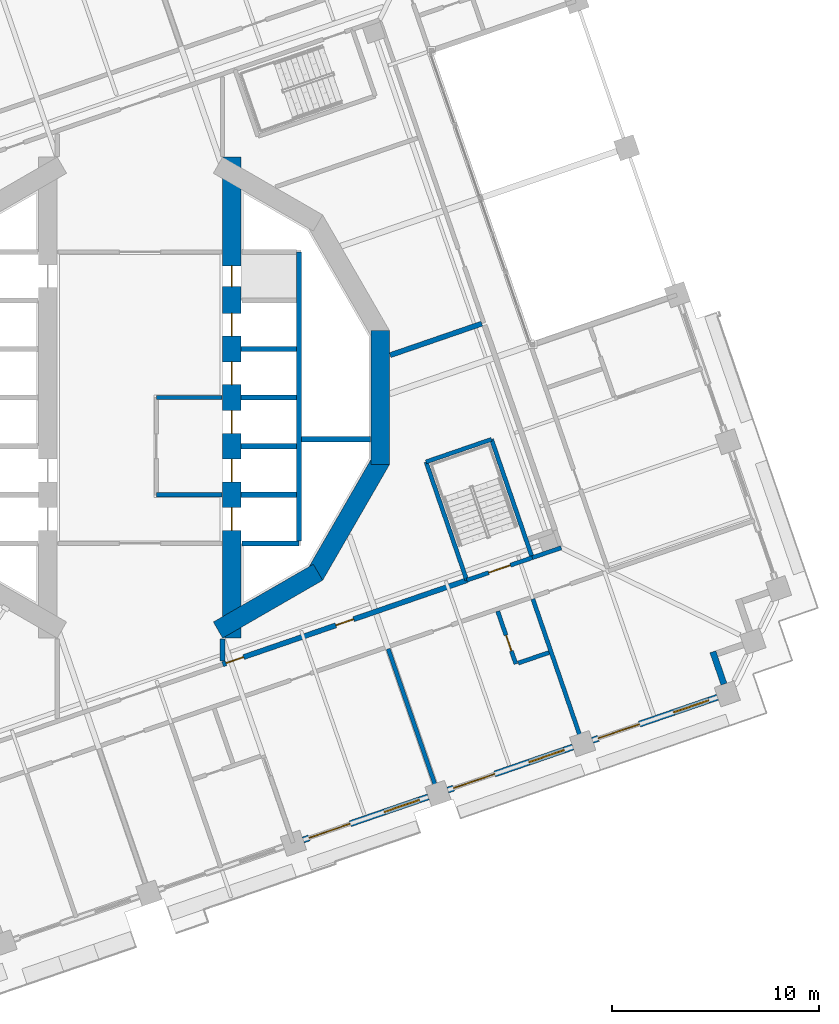
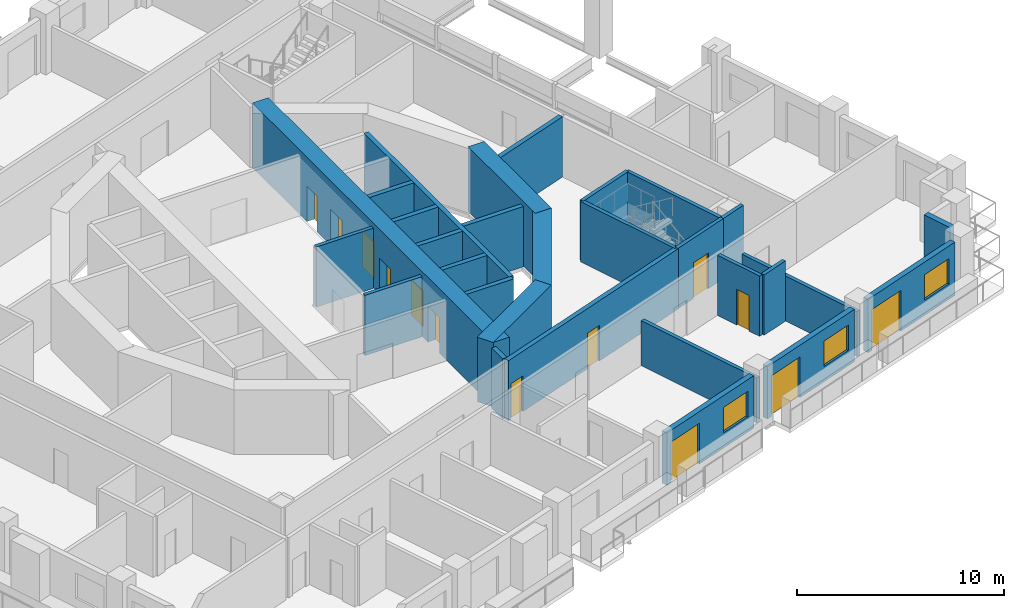
# One storey, part 9 of 19: 29 walls, 13 doors, 3 windows, 16 openings.
"""IFC4 building model written with IfcOpenShell, lengths in metres."""

from ifc_helpers import new_model, si_unit, direction, frame, frame_2d, origin, place, context, subcontext, project, spatial, rectangle, extrude, material, layer, layer_set, type_object, element, fill, save


model = new_model("IFC4")

# Units and contexts
model_context = context("Model", 3, precision=1e-05, world=origin(), true_north=direction((0.0, 1.0)))
body_context = subcontext(model_context, "Body", "Model", "MODEL_VIEW")
ifc_project = project(units=[si_unit("LENGTHUNIT", "METRE"), si_unit("AREAUNIT", "SQUARE_METRE"), si_unit("VOLUMEUNIT", "CUBIC_METRE"), si_unit("PLANEANGLEUNIT", "RADIAN"), si_unit("MASSUNIT", "GRAM", prefix="KILO")], contexts=[model_context])

# Site, building, storey
site_placement = place(None, origin())
site = spatial("IfcSite", under=ifc_project, at=site_placement, CompositionType="ELEMENT")
building_placement = place(site_placement, origin())
building = spatial("IfcBuilding", under=site, at=building_placement, Name="Cantera Rosa Tower", CompositionType="ELEMENT")
storey_placement = place(building_placement, frame((0.0, 0.0, 130.699951171875)))
storey = spatial("IfcBuildingStorey", under=building, at=storey_placement, Name="L27", CompositionType="ELEMENT", Elevation=130.699951171875)

# Walls
ifc_material_1 = material(Name="Gypsum board partition")
ifc_layer_1 = layer(ifc_material_1, 0.199951171875)
ifc_layer_set_1 = layer_set([ifc_layer_1], Name="CORRIDOR WALL 200 H3550")
wall_type_1 = type_object("IfcWallType", Name="CORRIDOR WALL 200 H3550", PredefinedType="PARTITIONING", material=ifc_layer_set_1)
wall_1_placement = place(storey_placement, frame((18.978271484375, -7.7431640625, 0.0), z_axis=(0.0, 0.0, 1.0), x_axis=(0.945529243519, 0.32553717092, 0.0)))
element("IfcWall", 1, at=wall_1_placement, inside=storey, type_object=wall_type_1, Name="CORRIDOR WALL L27-091", PredefinedType="PARTITIONING", context=body_context, shape_type="SweptSolid", body=[
    extrude(rectangle(XDim=1.4765625, YDim=0.199951171875, at=frame_2d((0.73828125, 0.0))), origin(), (0.0, 0.0, 1.0), 3.550048828125),
])
ifc_material_2 = material(Name="Hollow clay masonry with cantera stone cladding", Category="masonry")
ifc_layer_2 = layer(ifc_material_2, 0.300048828125)
ifc_layer_set_2 = layer_set([ifc_layer_2], Name="EW-LOGGIA 300")
wall_type_2 = type_object("IfcWallType", Name="EW-LOGGIA 300", PredefinedType="SOLIDWALL", material=ifc_layer_set_2)
wall_2_placement = place(storey_placement, frame((28.250732421875, -13.857421875, 0.0), z_axis=(0.0, 0.0, 1.0), x_axis=(-0.325666906351, 0.945484566827, 0.0)))
element("IfcWall", 2, at=wall_2_placement, inside=storey, type_object=wall_type_2, Name="EN-L27-W29a", PredefinedType="SOLIDWALL", context=body_context, shape_type="SweptSolid", body=[
    extrude(rectangle(XDim=1.64990234375, YDim=0.300048828125, at=frame_2d((0.824951171875, 0.0))), origin(), (0.0, 0.0, 1.0), 3.5),
])

# Wall, openings, window, door
ifc_material_3 = material(Name="Hollow clay masonry with cantera stone cladding", Category="masonry")
ifc_layer_3 = layer(ifc_material_3, 0.300048828125)
ifc_layer_set_3 = layer_set([ifc_layer_3], Name="EW-LOGGIA 300 H3090")
wall_type_3 = type_object("IfcWallType", Name="EW-LOGGIA 300 H3090", PredefinedType="SOLIDWALL", material=ifc_layer_set_3)
wall_3_placement = place(storey_placement, frame((7.895751953125, -21.39501953125, 0.0), z_axis=(0.0, 0.0, 1.0), x_axis=(0.945524496524, 0.325550958337, 0.0)))
wall_3 = element("IfcWall", 3, at=wall_3_placement, inside=storey, type_object=wall_type_3, Name="EN-L27-W26", PredefinedType="SOLIDWALL", context=body_context, shape_type="SweptSolid", body=[
    extrude(rectangle(XDim=6.39990234375, YDim=0.300048828125, at=frame_2d((3.199951171875, 0.0))), origin(), (0.0, 0.0, 1.0), 3.090087890625),
])
opening_1_placement = place(wall_3_placement, frame((0.300048828125, 0.0, 0.0)))
opening_1 = element("IfcOpeningElement", 4, at=opening_1_placement, cuts=wall_3, Name="Opening L27-TD35", PredefinedType="OPENING", context=body_context, shape_type="SweptSolid", body=[
    extrude(rectangle(XDim=2.10009765625, YDim=2.39990234375, at=frame_2d((1.050048828125, 1.199951171875))), frame((0.0, 0.159912109375, 0.0), z_axis=(0.0, -1.0, 0.0), x_axis=(1.0, 0.0, 0.0)), (0.0, 0.0, 1.0), 0.320068359375),
])
opening_2_placement = place(wall_3_placement, frame((4.14990234375, 0.0, 0.89990234375)))
opening_2 = element("IfcOpeningElement", 5, at=opening_2_placement, cuts=wall_3, Name="Opening L27-W36", PredefinedType="OPENING", context=body_context, shape_type="SweptSolid", body=[
    extrude(rectangle(XDim=1.800048828125, YDim=1.5, at=frame_2d((0.89990234375, 0.75))), frame((0.0, 0.159912109375, 0.0), z_axis=(0.0, -1.0, 0.0), x_axis=(1.0, 0.0, 0.0)), (0.0, 0.0, 1.0), 0.320068359375),
])
ifc_material_4 = material(Name="Aluminium frame with clear glass", Category="aluminium")
window_type = type_object("IfcWindowType", Name="Hotel room window 1800x1500", PartitioningType="DOUBLE_PANEL_VERTICAL", PredefinedType="WINDOW", material=ifc_material_4)
window_1_placement = place(opening_2_placement, origin())
window_1 = element("IfcWindow", 6, at=window_1_placement, inside=storey, type_object=window_type, Name="WINDOW L27-W36", OverallHeight=1.5, OverallWidth=1.800048828125, PartitioningType="SINGLE_PANEL", PredefinedType="WINDOW", context=body_context, shape_type="SweptSolid", body=[
    extrude(rectangle(XDim=1.800048828125, YDim=1.5, at=frame_2d((0.89990234375, 0.75))), frame((0.0, 0.030029296875, 0.0), z_axis=(0.0, -1.0, 0.0), x_axis=(1.0, 0.0, 0.0)), (0.0, 0.0, 1.0), 0.06005859375),
])
fill(opening_2, window_1)
ifc_material_5 = material(Name="Aluminium frame with clear glass", Category="aluminium")
door_type_1 = type_object("IfcDoorType", Name="TD-H 2100x2400", OperationType="NOTDEFINED", PredefinedType="DOOR", material=ifc_material_5)
door_1_placement = place(opening_1_placement, origin())
door_1 = element("IfcDoor", 7, at=door_1_placement, inside=storey, type_object=door_type_1, Name="LOGGIA DOOR L27-TD35", OperationType="SLIDING_TO_LEFT", OverallHeight=2.39990234375, OverallWidth=2.10009765625, PredefinedType="DOOR", context=body_context, shape_type="SweptSolid", body=[
    extrude(rectangle(XDim=2.10009765625, YDim=2.39990234375, at=frame_2d((1.050048828125, 1.199951171875))), frame((0.0, 0.02490234375, 0.0), z_axis=(0.0, -1.0, 0.0), x_axis=(1.0, 0.0, 0.0)), (0.0, 0.0, 1.0), 0.050048828125),
])
fill(opening_1, door_1)

wall_4_placement = place(storey_placement, frame((14.892578125, -18.98583984375, 0.0), z_axis=(0.0, 0.0, 1.0), x_axis=(0.945512753621, 0.325585062219, 0.0)))
wall_4 = element("IfcWall", 8, at=wall_4_placement, inside=storey, type_object=wall_type_3, Name="EN-L27-W27", PredefinedType="SOLIDWALL", context=body_context, shape_type="SweptSolid", body=[
    extrude(rectangle(XDim=6.39990234375, YDim=0.300048828125, at=frame_2d((3.199951171875, 0.0))), origin(), (0.0, 0.0, 1.0), 3.090087890625),
])
opening_3_placement = place(wall_4_placement, frame((0.300048828125, 0.0, 0.0)))
opening_3 = element("IfcOpeningElement", 9, at=opening_3_placement, cuts=wall_4, Name="Opening L27-TD37", PredefinedType="OPENING", context=body_context, shape_type="SweptSolid", body=[
    extrude(rectangle(XDim=2.10009765625, YDim=2.39990234375, at=frame_2d((1.050048828125, 1.199951171875))), frame((0.0, 0.159912109375, 0.0), z_axis=(0.0, -1.0, 0.0), x_axis=(1.0, 0.0, 0.0)), (0.0, 0.0, 1.0), 0.320068359375),
])
opening_4_placement = place(wall_4_placement, frame((4.14990234375, 0.0, 0.89990234375)))
opening_4 = element("IfcOpeningElement", 10, at=opening_4_placement, cuts=wall_4, Name="Opening L27-W38", PredefinedType="OPENING", context=body_context, shape_type="SweptSolid", body=[
    extrude(rectangle(XDim=1.800048828125, YDim=1.5, at=frame_2d((0.89990234375, 0.75))), frame((0.0, 0.159912109375, 0.0), z_axis=(0.0, -1.0, 0.0), x_axis=(1.0, 0.0, 0.0)), (0.0, 0.0, 1.0), 0.320068359375),
])
window_2_placement = place(opening_4_placement, origin())
window_2 = element("IfcWindow", 11, at=window_2_placement, inside=storey, type_object=window_type, Name="WINDOW L27-W38", OverallHeight=1.5, OverallWidth=1.800048828125, PartitioningType="SINGLE_PANEL", PredefinedType="WINDOW", context=body_context, shape_type="SweptSolid", body=[
    extrude(rectangle(XDim=1.800048828125, YDim=1.5, at=frame_2d((0.89990234375, 0.75))), frame((0.0, 0.030029296875, 0.0), z_axis=(0.0, -1.0, 0.0), x_axis=(1.0, 0.0, 0.0)), (0.0, 0.0, 1.0), 0.06005859375),
])
fill(opening_4, window_2)
door_2_placement = place(opening_3_placement, origin())
door_2 = element("IfcDoor", 12, at=door_2_placement, inside=storey, type_object=door_type_1, Name="LOGGIA DOOR L27-TD37", OperationType="SLIDING_TO_LEFT", OverallHeight=2.39990234375, OverallWidth=2.10009765625, PredefinedType="DOOR", context=body_context, shape_type="SweptSolid", body=[
    extrude(rectangle(XDim=2.10009765625, YDim=2.39990234375, at=frame_2d((1.050048828125, 1.199951171875))), frame((0.0, 0.02490234375, 0.0), z_axis=(0.0, -1.0, 0.0), x_axis=(1.0, 0.0, 0.0)), (0.0, 0.0, 1.0), 0.050048828125),
])
fill(opening_3, door_2)

ifc_material_6 = material(Name="Hollow clay masonry with cantera stone cladding", Category="masonry")
ifc_layer_4 = layer(ifc_material_6, 0.300048828125)
ifc_layer_set_4 = layer_set([ifc_layer_4], Name="EW-LOGGIA 300 H3140")
wall_type_4 = type_object("IfcWallType", Name="EW-LOGGIA 300 H3140", PredefinedType="SOLIDWALL", material=ifc_layer_set_4)
wall_5_placement = place(storey_placement, frame((21.889404296875, -16.57666015625, 0.0), z_axis=(0.0, 0.0, 1.0), x_axis=(0.945512753621, 0.325585062219, 0.0)))
wall_5 = element("IfcWall", 13, at=wall_5_placement, inside=storey, type_object=wall_type_4, Name="EN-L27-W28", PredefinedType="SOLIDWALL", context=body_context, shape_type="SweptSolid", body=[
    extrude(rectangle(XDim=6.39990234375, YDim=0.300048828125, at=frame_2d((3.199951171875, 0.0))), origin(), (0.0, 0.0, 1.0), 3.14013671875),
])
opening_5_placement = place(wall_5_placement, frame((0.300048828125, 0.0, 0.0)))
opening_5 = element("IfcOpeningElement", 14, at=opening_5_placement, cuts=wall_5, Name="Opening L27-TD39", PredefinedType="OPENING", context=body_context, shape_type="SweptSolid", body=[
    extrude(rectangle(XDim=2.10009765625, YDim=2.39990234375, at=frame_2d((1.050048828125, 1.199951171875))), frame((0.0, 0.159912109375, 0.0), z_axis=(0.0, -1.0, 0.0), x_axis=(1.0, 0.0, 0.0)), (0.0, 0.0, 1.0), 0.320068359375),
])
opening_6_placement = place(wall_5_placement, frame((4.14990234375, 0.0, 0.89990234375)))
opening_6 = element("IfcOpeningElement", 15, at=opening_6_placement, cuts=wall_5, Name="Opening L27-W40", PredefinedType="OPENING", context=body_context, shape_type="SweptSolid", body=[
    extrude(rectangle(XDim=1.800048828125, YDim=1.5, at=frame_2d((0.89990234375, 0.75))), frame((0.0, 0.159912109375, 0.0), z_axis=(0.0, -1.0, 0.0), x_axis=(1.0, 0.0, 0.0)), (0.0, 0.0, 1.0), 0.320068359375),
])
window_3_placement = place(opening_6_placement, origin())
window_3 = element("IfcWindow", 16, at=window_3_placement, inside=storey, type_object=window_type, Name="WINDOW L27-W40", OverallHeight=1.5, OverallWidth=1.800048828125, PartitioningType="SINGLE_PANEL", PredefinedType="WINDOW", context=body_context, shape_type="SweptSolid", body=[
    extrude(rectangle(XDim=1.800048828125, YDim=1.5, at=frame_2d((0.89990234375, 0.75))), frame((0.0, 0.030029296875, 0.0), z_axis=(0.0, -1.0, 0.0), x_axis=(1.0, 0.0, 0.0)), (0.0, 0.0, 1.0), 0.06005859375),
])
fill(opening_6, window_3)
door_3_placement = place(opening_5_placement, origin())
door_3 = element("IfcDoor", 17, at=door_3_placement, inside=storey, type_object=door_type_1, Name="LOGGIA DOOR L27-TD39", OperationType="SLIDING_TO_LEFT", OverallHeight=2.39990234375, OverallWidth=2.10009765625, PredefinedType="DOOR", context=body_context, shape_type="SweptSolid", body=[
    extrude(rectangle(XDim=2.10009765625, YDim=2.39990234375, at=frame_2d((1.050048828125, 1.199951171875))), frame((0.0, 0.02490234375, 0.0), z_axis=(0.0, -1.0, 0.0), x_axis=(1.0, 0.0, 0.0)), (0.0, 0.0, 1.0), 0.050048828125),
])
fill(opening_5, door_3)

# Wall, opening, door
ifc_material_7 = material(Name="Gypsum board partition")
ifc_layer_5 = layer(ifc_material_7, 0.199951171875)
ifc_layer_set_5 = layer_set([ifc_layer_5], Name="PARTITION 200 H3550")
wall_type_5 = type_object("IfcWallType", Name="PARTITION 200 H3550", PredefinedType="PARTITIONING", material=ifc_layer_set_5)
wall_6_placement = place(storey_placement, frame((18.1845703125, -12.881591796875, 0.0), z_axis=(0.0, 0.0, 1.0), x_axis=(-0.325597751787, 0.945508383903, 0.0)))
wall_6 = element("IfcWall", 18, at=wall_6_placement, inside=storey, type_object=wall_type_5, Name="PARTITION L27-088", PredefinedType="PARTITIONING", context=body_context, shape_type="SweptSolid", body=[
    extrude(rectangle(XDim=2.7001953125, YDim=0.199951171875, at=frame_2d((1.35009765625, 0.0))), origin(), (0.0, 0.0, 1.0), 3.550048828125),
])
opening_7_placement = place(wall_6_placement, frame((0.6640625, 0.0, 0.0)))
opening_7 = element("IfcOpeningElement", 19, at=opening_7_placement, cuts=wall_6, Name="Opening L27-039", PredefinedType="OPENING", context=body_context, shape_type="SweptSolid", body=[
    extrude(rectangle(XDim=0.800048828125, YDim=2.10009765625, at=frame_2d((0.39990234375, 1.050048828125))), frame((0.0, 0.10986328125, 0.0), z_axis=(0.0, -1.0, 0.0), x_axis=(1.0, 0.0, 0.0)), (0.0, 0.0, 1.0), 0.219970703125),
])
ifc_material_8 = material(Name="Timber door leaf", Category="wood")
door_type_2 = type_object("IfcDoorType", Name="BATHROOM DOOR 800x2100", OperationType="NOTDEFINED", PredefinedType="DOOR", material=ifc_material_8)
door_4_placement = place(opening_7_placement, origin())
door_4 = element("IfcDoor", 20, at=door_4_placement, inside=storey, type_object=door_type_2, Name="DOOR L27-039", OperationType="NOTDEFINED", OverallHeight=2.10009765625, OverallWidth=0.800048828125, PredefinedType="DOOR", context=body_context, shape_type="SweptSolid", body=[
    extrude(rectangle(XDim=0.800048828125, YDim=2.10009765625, at=frame_2d((0.39990234375, 1.050048828125))), frame((0.0, 0.02490234375, 0.0), z_axis=(0.0, -1.0, 0.0), x_axis=(1.0, 0.0, 0.0)), (0.0, 0.0, 1.0), 0.050048828125),
])
fill(opening_7, door_4)

# Walls
wall_7_placement = place(storey_placement, frame((19.7919921875, -12.327880859375, 0.0), z_axis=(0.0, 0.0, 1.0), x_axis=(-0.945515753246, -0.325576351052, 0.0)))
element("IfcWall", 21, at=wall_7_placement, inside=storey, type_object=wall_type_5, Name="PARTITION L27-092", PredefinedType="PARTITIONING", context=body_context, shape_type="SweptSolid", body=[
    extrude(rectangle(XDim=1.580078125, YDim=0.199951171875, at=frame_2d((0.7900390625, 0.0))), origin(), (0.0, 0.0, 1.0), 3.550048828125),
])
ifc_material_9 = material(Name="Gypsum board partition")
ifc_layer_6 = layer(ifc_material_9, 0.199951171875)
ifc_layer_set_6 = layer_set([ifc_layer_6], Name="PARTY WALL 200 H2650")
wall_type_6 = type_object("IfcWallType", Name="PARTY WALL 200 H2650", PredefinedType="PARTITIONING", material=ifc_layer_set_6)
wall_8_placement = place(storey_placement, frame((12.010498046875, -12.15185546875, 0.0), z_axis=(0.0, 0.0, 1.0), x_axis=(0.325563917555, -0.945520034471, 0.0)))
element("IfcWall", 22, at=wall_8_placement, inside=storey, type_object=wall_type_6, Name="PARTY WALL L27-077", PredefinedType="PARTITIONING", context=body_context, shape_type="SweptSolid", body=[
    extrude(rectangle(XDim=7.3701171875, YDim=0.199951171875, at=frame_2d((3.68505859375, 0.0))), origin(), (0.0, 0.0, 1.0), 2.650146484375),
])
wall_9_placement = place(storey_placement, frame((19.00732421875, -9.74267578125, 0.0), z_axis=(0.0, 0.0, 1.0), x_axis=(0.325603730276, -0.945506325114, 0.0)))
element("IfcWall", 23, at=wall_9_placement, inside=storey, type_object=wall_type_6, Name="PARTY WALL L27-090", PredefinedType="PARTITIONING", context=body_context, shape_type="SweptSolid", body=[
    extrude(rectangle(XDim=7.369873046875, YDim=0.199951171875, at=frame_2d((3.68505859375, 0.0))), origin(), (0.0, 0.0, 1.0), 2.650146484375),
])
ifc_material_10 = material(Name="Concrete C70/85", Category="concrete")
ifc_layer_7 = layer(ifc_material_10, 0.89990234375)
ifc_layer_set_7 = layer_set([ifc_layer_7], Name="RC CORE WALL 900 C70/85")
wall_type_7 = type_object("IfcWallType", Name="RC CORE WALL 900 C70/85", PredefinedType="SHEAR", material=ifc_layer_set_7)
wall_10_placement = place(storey_placement, frame((11.6240234375, 3.2353515625, 0.0), z_axis=(0.0, 0.0, 1.0), x_axis=(0.0, -1.0, 0.0)))
element("IfcWall", 24, at=wall_10_placement, inside=storey, type_object=wall_type_7, Name="CW-E3 L27", PredefinedType="SHEAR", context=body_context, shape_type="SweptSolid", body=[
    extrude(rectangle(XDim=6.470703125, YDim=0.89990234375, at=frame_2d((3.2353515625, 0.0))), origin(), (0.0, 0.0, 1.0), 3.800048828125),
])
wall_11_placement = place(storey_placement, frame((11.684326171875, -3.01025390625, 0.0), z_axis=(0.0, 0.0, 1.0), x_axis=(-0.499990282633, -0.866031014036, 0.0)))
element("IfcWall", 25, at=wall_11_placement, inside=storey, type_object=wall_type_7, Name="CW-E4 L27", PredefinedType="SHEAR", context=body_context, shape_type="SweptSolid", body=[
    extrude(rectangle(XDim=6.470458984375, YDim=0.89990234375, at=frame_2d((3.2353515625, 0.0))), origin(), (0.0, 0.0, 1.0), 3.800048828125),
])
wall_12_placement = place(storey_placement, frame((8.61376953125, -8.44921875, 0.0), z_axis=(0.0, 0.0, 1.0), x_axis=(-0.866026961591, -0.49999730179, 0.0)))
element("IfcWall", 26, at=wall_12_placement, inside=storey, type_object=wall_type_7, Name="CW-E5 L27", PredefinedType="SHEAR", context=body_context, shape_type="SweptSolid", body=[
    extrude(rectangle(XDim=5.58740234375, YDim=0.89990234375, at=frame_2d((2.793701171875, 0.0))), origin(), (0.0, 0.0, 1.0), 3.800048828125),
])

# Wall, openings, doors
wall_13_placement = place(storey_placement, frame((4.449951171875, -11.632568359375, 0.0), z_axis=(0.0, 0.0, 1.0), x_axis=(0.0, 1.0, 0.0)))
wall_13 = element("IfcWall", 27, at=wall_13_placement, inside=storey, type_object=wall_type_7, Name="CW-E6 L27", PredefinedType="SHEAR", context=body_context, shape_type="SweptSolid", body=[
    extrude(rectangle(XDim=23.26513671875, YDim=0.89990234375, at=frame_2d((11.632568359375, 0.0))), origin(), (0.0, 0.0, 1.0), 3.800048828125),
])
opening_8_placement = place(wall_13_placement, frame((7.5576171875, 0.0, 0.0)))
opening_8 = element("IfcOpeningElement", 28, at=opening_8_placement, cuts=wall_13, Name="Opening LD-FF1-L27", PredefinedType="OPENING", context=body_context, shape_type="SweptSolid", body=[
    extrude(rectangle(XDim=1.10009765625, YDim=2.10009765625, at=frame_2d((0.550048828125, 1.050048828125))), frame((0.0, 0.4599609375, 0.0), z_axis=(0.0, -1.0, 0.0), x_axis=(1.0, 0.0, 0.0)), (0.0, 0.0, 1.0), 0.919921875),
])
opening_9_placement = place(wall_13_placement, frame((9.907470703125, 0.0, 0.0)))
opening_9 = element("IfcOpeningElement", 29, at=opening_9_placement, cuts=wall_13, Name="Opening LD-FF2-L27", PredefinedType="OPENING", context=body_context, shape_type="SweptSolid", body=[
    extrude(rectangle(XDim=1.10009765625, YDim=2.10009765625, at=frame_2d((0.550048828125, 1.050048828125))), frame((0.0, 0.4599609375, 0.0), z_axis=(0.0, -1.0, 0.0), x_axis=(1.0, 0.0, 0.0)), (0.0, 0.0, 1.0), 0.919921875),
])
opening_10_placement = place(wall_13_placement, frame((12.257568359375, 0.0, 0.0)))
opening_10 = element("IfcOpeningElement", 30, at=opening_10_placement, cuts=wall_13, Name="Opening LD-P1-L27", PredefinedType="OPENING", context=body_context, shape_type="SweptSolid", body=[
    extrude(rectangle(XDim=1.10009765625, YDim=2.10009765625, at=frame_2d((0.550048828125, 1.050048828125))), frame((0.0, 0.4599609375, 0.0), z_axis=(0.0, -1.0, 0.0), x_axis=(1.0, 0.0, 0.0)), (0.0, 0.0, 1.0), 0.919921875),
])
opening_11_placement = place(wall_13_placement, frame((14.607421875, 0.0, 0.0)))
opening_11 = element("IfcOpeningElement", 31, at=opening_11_placement, cuts=wall_13, Name="Opening LD-P2-L27", PredefinedType="OPENING", context=body_context, shape_type="SweptSolid", body=[
    extrude(rectangle(XDim=1.10009765625, YDim=2.10009765625, at=frame_2d((0.550048828125, 1.050048828125))), frame((0.0, 0.4599609375, 0.0), z_axis=(0.0, -1.0, 0.0), x_axis=(1.0, 0.0, 0.0)), (0.0, 0.0, 1.0), 0.919921875),
])
opening_12_placement = place(wall_13_placement, frame((5.20751953125, 0.0, 0.0)))
opening_12 = element("IfcOpeningElement", 32, at=opening_12_placement, cuts=wall_13, Name="Opening LD-P6-L27", PredefinedType="OPENING", context=body_context, shape_type="SweptSolid", body=[
    extrude(rectangle(XDim=1.10009765625, YDim=2.10009765625, at=frame_2d((0.550048828125, 1.050048828125))), frame((0.0, 0.4599609375, 0.0), z_axis=(0.0, -1.0, 0.0), x_axis=(1.0, 0.0, 0.0)), (0.0, 0.0, 1.0), 0.919921875),
])
opening_13_placement = place(wall_13_placement, frame((17.007568359375, 0.0, 0.0)))
opening_13 = element("IfcOpeningElement", 33, at=opening_13_placement, cuts=wall_13, Name="Opening SD-L27-14", PredefinedType="OPENING", context=body_context, shape_type="SweptSolid", body=[
    extrude(rectangle(XDim=1.0, YDim=2.10009765625, at=frame_2d((0.5, 1.050048828125))), frame((0.0, 0.4599609375, 0.0), z_axis=(0.0, -1.0, 0.0), x_axis=(1.0, 0.0, 0.0)), (0.0, 0.0, 1.0), 0.919921875),
])
ifc_material_11 = material(Name="Steel S355J2 (EN 10025-2)", Category="steel")
door_type_3 = type_object("IfcDoorType", Name="LANDING DOOR 1100x2100", OperationType="NOTDEFINED", PredefinedType="DOOR", material=ifc_material_11)
door_5_placement = place(opening_8_placement, origin())
door_5 = element("IfcDoor", 34, at=door_5_placement, inside=storey, type_object=door_type_3, Name="LANDING DOOR FF1 L27", OperationType="SLIDING_TO_LEFT", OverallHeight=2.10009765625, OverallWidth=1.10009765625, PredefinedType="DOOR", context=body_context, shape_type="SweptSolid", body=[
    extrude(rectangle(XDim=1.10009765625, YDim=2.10009765625, at=frame_2d((0.550048828125, 1.050048828125))), frame((0.0, 0.02490234375, 0.0), z_axis=(0.0, -1.0, 0.0), x_axis=(1.0, 0.0, 0.0)), (0.0, 0.0, 1.0), 0.050048828125),
])
fill(opening_8, door_5)
door_6_placement = place(opening_9_placement, origin())
door_6 = element("IfcDoor", 35, at=door_6_placement, inside=storey, type_object=door_type_3, Name="LANDING DOOR FF2 L27", OperationType="SLIDING_TO_LEFT", OverallHeight=2.10009765625, OverallWidth=1.10009765625, PredefinedType="DOOR", context=body_context, shape_type="SweptSolid", body=[
    extrude(rectangle(XDim=1.10009765625, YDim=2.10009765625, at=frame_2d((0.550048828125, 1.050048828125))), frame((0.0, 0.02490234375, 0.0), z_axis=(0.0, -1.0, 0.0), x_axis=(1.0, 0.0, 0.0)), (0.0, 0.0, 1.0), 0.050048828125),
])
fill(opening_9, door_6)
door_7_placement = place(opening_10_placement, origin())
door_7 = element("IfcDoor", 36, at=door_7_placement, inside=storey, type_object=door_type_3, Name="LANDING DOOR P1 L27", OperationType="SLIDING_TO_LEFT", OverallHeight=2.10009765625, OverallWidth=1.10009765625, PredefinedType="DOOR", context=body_context, shape_type="SweptSolid", body=[
    extrude(rectangle(XDim=1.10009765625, YDim=2.10009765625, at=frame_2d((0.550048828125, 1.050048828125))), frame((0.0, 0.02490234375, 0.0), z_axis=(0.0, -1.0, 0.0), x_axis=(1.0, 0.0, 0.0)), (0.0, 0.0, 1.0), 0.050048828125),
])
fill(opening_10, door_7)
door_8_placement = place(opening_11_placement, origin())
door_8 = element("IfcDoor", 37, at=door_8_placement, inside=storey, type_object=door_type_3, Name="LANDING DOOR P2 L27", OperationType="SLIDING_TO_LEFT", OverallHeight=2.10009765625, OverallWidth=1.10009765625, PredefinedType="DOOR", context=body_context, shape_type="SweptSolid", body=[
    extrude(rectangle(XDim=1.10009765625, YDim=2.10009765625, at=frame_2d((0.550048828125, 1.050048828125))), frame((0.0, 0.02490234375, 0.0), z_axis=(0.0, -1.0, 0.0), x_axis=(1.0, 0.0, 0.0)), (0.0, 0.0, 1.0), 0.050048828125),
])
fill(opening_11, door_8)
door_9_placement = place(opening_12_placement, origin())
door_9 = element("IfcDoor", 38, at=door_9_placement, inside=storey, type_object=door_type_3, Name="LANDING DOOR P6 L27", OperationType="SLIDING_TO_LEFT", OverallHeight=2.10009765625, OverallWidth=1.10009765625, PredefinedType="DOOR", context=body_context, shape_type="SweptSolid", body=[
    extrude(rectangle(XDim=1.10009765625, YDim=2.10009765625, at=frame_2d((0.550048828125, 1.050048828125))), frame((0.0, 0.02490234375, 0.0), z_axis=(0.0, -1.0, 0.0), x_axis=(1.0, 0.0, 0.0)), (0.0, 0.0, 1.0), 0.050048828125),
])
fill(opening_12, door_9)
ifc_material_12 = material(Name="Timber door leaf", Category="wood")
door_type_4 = type_object("IfcDoorType", Name="SERVICE DOOR 1000x2100", OperationType="NOTDEFINED", PredefinedType="DOOR", material=ifc_material_12)
door_10_placement = place(opening_13_placement, origin())
door_10 = element("IfcDoor", 39, at=door_10_placement, inside=storey, type_object=door_type_4, Name="DOOR L27-SD14", OperationType="NOTDEFINED", OverallHeight=2.10009765625, OverallWidth=1.0, PredefinedType="DOOR", context=body_context, shape_type="SweptSolid", body=[
    extrude(rectangle(XDim=1.0, YDim=2.10009765625, at=frame_2d((0.5, 1.050048828125))), frame((0.0, 0.02490234375, 0.0), z_axis=(0.0, -1.0, 0.0), x_axis=(1.0, 0.0, 0.0)), (0.0, 0.0, 1.0), 0.050048828125),
])
fill(opening_13, door_10)

# Wall
ifc_material_13 = material(Name="Masonry blockwork", Category="masonry")
ifc_layer_8 = layer(ifc_material_13, 0.25)
ifc_layer_set_8 = layer_set([ifc_layer_8], Name="SHAFT WALL 250 H3550")
wall_type_8 = type_object("IfcWallType", Name="SHAFT WALL 250 H3550", PredefinedType="SOLIDWALL", material=ifc_layer_set_8)
wall_14_placement = place(storey_placement, frame((4.0, -12.740478515625, 0.0), z_axis=(0.0, 0.0, 1.0), x_axis=(0.0, 1.0, 0.0)))
element("IfcWall", 40, at=wall_14_placement, inside=storey, type_object=wall_type_8, Name="SHAFT WALL L27-054", PredefinedType="SOLIDWALL", context=body_context, shape_type="SweptSolid", body=[
    extrude(rectangle(XDim=1.0732421875, YDim=0.25, at=frame_2d((0.53662109375, 0.0))), origin(), (0.0, 0.0, 1.0), 3.550048828125),
])

# Wall, openings, doors
wall_15_placement = place(storey_placement, frame((4.0, -12.900634765625, 0.0), z_axis=(0.0, 0.0, 1.0), x_axis=(0.945515789626, 0.325576245398, 0.0)))
wall_15 = element("IfcWall", 41, at=wall_15_placement, inside=storey, type_object=wall_type_8, Name="SHAFT WALL L27-055", PredefinedType="SOLIDWALL", context=body_context, shape_type="SweptSolid", body=[
    extrude(rectangle(XDim=12.491455078125, YDim=0.25, at=frame_2d((6.24560546875, 0.0))), origin(), (0.0, 0.0, 1.0), 3.550048828125),
])
opening_14_placement = place(wall_15_placement, frame((0.174560546875, 0.0, 0.0)))
opening_14 = element("IfcOpeningElement", 42, at=opening_14_placement, cuts=wall_15, Name="Opening L27-008", PredefinedType="OPENING", context=body_context, shape_type="SweptSolid", body=[
    extrude(rectangle(XDim=0.89990234375, YDim=2.10009765625, at=frame_2d((0.449951171875, 1.050048828125))), frame((0.0, 0.135009765625, 0.0), z_axis=(0.0, -1.0, 0.0), x_axis=(1.0, 0.0, 0.0)), (0.0, 0.0, 1.0), 0.27001953125),
])
opening_15_placement = place(wall_15_placement, frame((5.795654296875, 0.0, 0.0)))
opening_15 = element("IfcOpeningElement", 43, at=opening_15_placement, cuts=wall_15, Name="Opening L27-043", PredefinedType="OPENING", context=body_context, shape_type="SweptSolid", body=[
    extrude(rectangle(XDim=0.89990234375, YDim=2.10009765625, at=frame_2d((0.449951171875, 1.050048828125))), frame((0.0, 0.135009765625, 0.0), z_axis=(0.0, -1.0, 0.0), x_axis=(1.0, 0.0, 0.0)), (0.0, 0.0, 1.0), 0.27001953125),
])
ifc_material_14 = material(Name="Timber door leaf", Category="wood")
door_type_5 = type_object("IfcDoorType", Name="SERVICE DOOR 900x2100", OperationType="NOTDEFINED", PredefinedType="DOOR", material=ifc_material_14)
door_11_placement = place(opening_14_placement, origin())
door_11 = element("IfcDoor", 44, at=door_11_placement, inside=storey, type_object=door_type_5, Name="RISER DOOR L27-008", OperationType="NOTDEFINED", OverallHeight=2.10009765625, OverallWidth=0.89990234375, PredefinedType="DOOR", context=body_context, shape_type="SweptSolid", body=[
    extrude(rectangle(XDim=0.89990234375, YDim=2.10009765625, at=frame_2d((0.449951171875, 1.050048828125))), frame((0.0, 0.02490234375, 0.0), z_axis=(0.0, -1.0, 0.0), x_axis=(1.0, 0.0, 0.0)), (0.0, 0.0, 1.0), 0.050048828125),
])
fill(opening_14, door_11)
door_12_placement = place(opening_15_placement, origin())
door_12 = element("IfcDoor", 45, at=door_12_placement, inside=storey, type_object=door_type_5, Name="RISER DOOR L27-043", OperationType="NOTDEFINED", OverallHeight=2.10009765625, OverallWidth=0.89990234375, PredefinedType="DOOR", context=body_context, shape_type="SweptSolid", body=[
    extrude(rectangle(XDim=0.89990234375, YDim=2.10009765625, at=frame_2d((0.449951171875, 1.050048828125))), frame((0.0, 0.02490234375, 0.0), z_axis=(0.0, -1.0, 0.0), x_axis=(1.0, 0.0, 0.0)), (0.0, 0.0, 1.0), 0.050048828125),
])
fill(opening_15, door_12)

# Walls
for number, where, z_axis, x_axis, name in (
    (46, (4.89990234375, -4.699951171875, 0.0), (0.0, 0.0, 1.0), (1.0, 0.0, 0.0), "SHAFT WALL L27-058"),
    (47, (4.89990234375, 0.0, 0.0), (0.0, 0.0, 1.0), (1.0, 0.0, 0.0), "SHAFT WALL L27-059"),
):
    element("IfcWall", number, at=place(storey_placement, frame(where, z_axis=z_axis, x_axis=x_axis)), inside=storey, type_object=wall_type_8, Name=name, PredefinedType="SOLIDWALL", context=body_context, shape_type="SweptSolid", body=[
        extrude(rectangle(XDim=2.675048828125, YDim=0.25, at=frame_2d((1.33740234375, 0.0))), origin(), (0.0, 0.0, 1.0), 3.550048828125),
    ])
wall_16_placement = place(storey_placement, frame((4.929931640625, -7.050048828125, 0.0), z_axis=(0.0, 0.0, 1.0), x_axis=(1.0, 0.0, 0.0)))
element("IfcWall", 48, at=wall_16_placement, inside=storey, type_object=wall_type_8, Name="SHAFT WALL L27-060", PredefinedType="SOLIDWALL", context=body_context, shape_type="SweptSolid", body=[
    extrude(rectangle(XDim=2.77001953125, YDim=0.25, at=frame_2d((1.385009765625, 0.0))), origin(), (0.0, 0.0, 1.0), 3.550048828125),
])
wall_17_placement = place(storey_placement, frame((7.699951171875, -6.929931640625, 0.0), z_axis=(0.0, 0.0, 1.0), x_axis=(0.0, 1.0, 0.0)))
element("IfcWall", 49, at=wall_17_placement, inside=storey, type_object=wall_type_8, Name="SHAFT WALL L27-065", PredefinedType="SOLIDWALL", context=body_context, shape_type="SweptSolid", body=[
    extrude(rectangle(XDim=13.97998046875, YDim=0.25, at=frame_2d((6.989990234375, 0.0))), origin(), (0.0, 0.0, 1.0), 3.550048828125),
])
wall_18_placement = place(storey_placement, frame((7.574951171875, -2.35009765625, 0.0), z_axis=(0.0, 0.0, 1.0), x_axis=(-1.0, 0.0, 0.0)))
element("IfcWall", 50, at=wall_18_placement, inside=storey, type_object=wall_type_8, Name="SHAFT WALL L27-066", PredefinedType="SOLIDWALL", context=body_context, shape_type="SweptSolid", body=[
    extrude(rectangle(XDim=2.675048828125, YDim=0.25, at=frame_2d((1.33740234375, 0.0))), origin(), (0.0, 0.0, 1.0), 3.550048828125),
])
wall_19_placement = place(storey_placement, frame((7.824951171875, -2.0146484375, 0.0), z_axis=(0.0, 0.0, 1.0), x_axis=(1.0, 0.0, 0.0)))
element("IfcWall", 51, at=wall_19_placement, inside=storey, type_object=wall_type_8, Name="SHAFT WALL L27-067", PredefinedType="SOLIDWALL", context=body_context, shape_type="SweptSolid", body=[
    extrude(rectangle(XDim=3.319091796875, YDim=0.25, at=frame_2d((1.65966796875, 0.0))), origin(), (0.0, 0.0, 1.0), 3.550048828125),
])
wall_20_placement = place(storey_placement, frame((7.574951171875, 2.35009765625, 0.0), z_axis=(0.0, 0.0, 1.0), x_axis=(-1.0, 0.0, 0.0)))
element("IfcWall", 52, at=wall_20_placement, inside=storey, type_object=wall_type_8, Name="SHAFT WALL L27-068", PredefinedType="SOLIDWALL", context=body_context, shape_type="SweptSolid", body=[
    extrude(rectangle(XDim=2.675048828125, YDim=0.25, at=frame_2d((1.33740234375, 0.0))), origin(), (0.0, 0.0, 1.0), 3.550048828125),
])
wall_21_placement = place(storey_placement, frame((16.535888671875, 3.57861328125, 0.0), z_axis=(0.0, 0.0, 1.0), x_axis=(-0.945511827889, -0.325587750572, 0.0)))
element("IfcWall", 53, at=wall_21_placement, inside=storey, type_object=wall_type_8, Name="SHAFT WALL L27-085", PredefinedType="SOLIDWALL", context=body_context, shape_type="SweptSolid", body=[
    extrude(rectangle(XDim=4.687255859375, YDim=0.25, at=frame_2d((2.34375, 0.0))), origin(), (0.0, 0.0, 1.0), 3.550048828125),
])
ifc_material_15 = material(Name="Concrete C50/60", Category="concrete")
ifc_layer_9 = layer(ifc_material_15, 0.199951171875)
ifc_layer_set_9 = layer_set([ifc_layer_9], Name="STAIR WALL 200 H3550")
wall_type_9 = type_object("IfcWallType", Name="STAIR WALL 200 H3550", PredefinedType="SOLIDWALL", material=ifc_layer_set_9)
for number, where, z_axis, x_axis, name in (
    (54, (0.800048828125, 0.0, 0.0), (0.0, 0.0, 1.0), (1.0, 0.0, 0.0), "STAIR WALL L27-047"),
    (55, (3.969970703125, -4.699951171875, 0.0), (0.0, 0.0, 1.0), (-1.0, 0.0, 0.0), "STAIR WALL L27-053"),
):
    element("IfcWall", number, at=place(storey_placement, frame(where, z_axis=z_axis, x_axis=x_axis)), inside=storey, type_object=wall_type_9, Name=name, PredefinedType="SOLIDWALL", context=body_context, shape_type="SweptSolid", body=[
        extrude(rectangle(XDim=3.169921875, YDim=0.199951171875, at=frame_2d((1.5849609375, 0.0))), origin(), (0.0, 0.0, 1.0), 3.550048828125),
    ])
wall_22_placement = place(storey_placement, frame((13.839599609375, -3.10888671875, 0.0), z_axis=(0.0, 0.0, 1.0), x_axis=(0.325563172411, -0.945520291041, 0.0)))
element("IfcWall", 56, at=wall_22_placement, inside=storey, type_object=wall_type_9, Name="STAIR WALL L27-081", PredefinedType="SOLIDWALL", context=body_context, shape_type="SweptSolid", body=[
    extrude(rectangle(XDim=6.0546875, YDim=0.199951171875, at=frame_2d((3.02734375, 0.0))), origin(), (0.0, 0.0, 1.0), 3.550048828125),
])

# Wall, opening, door
wall_23_placement = place(storey_placement, frame((15.810791015625, -8.833740234375, 0.0), z_axis=(0.0, 0.0, 1.0), x_axis=(0.945525450469, 0.325548187702, 0.0)))
wall_23 = element("IfcWall", 57, at=wall_23_placement, inside=storey, type_object=wall_type_9, Name="STAIR WALL L27-082", PredefinedType="SOLIDWALL", context=body_context, shape_type="SweptSolid", body=[
    extrude(rectangle(XDim=3.349853515625, YDim=0.199951171875, at=frame_2d((1.6748046875, 0.0))), origin(), (0.0, 0.0, 1.0), 3.550048828125),
])
opening_16_placement = place(wall_23_placement, frame((1.125, 0.0, 0.0)))
opening_16 = element("IfcOpeningElement", 58, at=opening_16_placement, cuts=wall_23, Name="Opening L27-003", PredefinedType="OPENING", context=body_context, shape_type="SweptSolid", body=[
    extrude(rectangle(XDim=1.10009765625, YDim=2.10009765625, at=frame_2d((0.550048828125, 1.050048828125))), frame((0.0, 0.10986328125, 0.0), z_axis=(0.0, -1.0, 0.0), x_axis=(1.0, 0.0, 0.0)), (0.0, 0.0, 1.0), 0.219970703125),
])
ifc_material_16 = material(Name="Steel S355J2 (EN 10025-2)", Category="steel")
door_type_6 = type_object("IfcDoorType", Name="STAIR DOOR 1100x2100", OperationType="NOTDEFINED", PredefinedType="DOOR", material=ifc_material_16)
door_13_placement = place(opening_16_placement, origin())
door_13 = element("IfcDoor", 59, at=door_13_placement, inside=storey, type_object=door_type_6, Name="DOOR L27-003", OperationType="NOTDEFINED", OverallHeight=2.10009765625, OverallWidth=1.10009765625, PredefinedType="DOOR", context=body_context, shape_type="SweptSolid", body=[
    extrude(rectangle(XDim=1.10009765625, YDim=2.10009765625, at=frame_2d((0.550048828125, 1.050048828125))), frame((0.0, 0.02490234375, 0.0), z_axis=(0.0, -1.0, 0.0), x_axis=(1.0, 0.0, 0.0)), (0.0, 0.0, 1.0), 0.050048828125),
])
fill(opening_16, door_13)

# Walls
wall_24_placement = place(storey_placement, frame((17.007080078125, -2.01806640625, 0.0), z_axis=(0.0, 0.0, 1.0), x_axis=(-0.945503015732, -0.325613340087, 0.0)))
element("IfcWall", 60, at=wall_24_placement, inside=storey, type_object=wall_type_9, Name="STAIR WALL L27-086", PredefinedType="SOLIDWALL", context=body_context, shape_type="SweptSolid", body=[
    extrude(rectangle(XDim=3.35009765625, YDim=0.199951171875, at=frame_2d((1.675048828125, 0.0))), origin(), (0.0, 0.0, 1.0), 3.550048828125),
])
wall_25_placement = place(storey_placement, frame((17.007080078125, -2.01806640625, 0.0), z_axis=(0.0, 0.0, 1.0), x_axis=(0.325550760545, -0.945524564625, 0.0)))
element("IfcWall", 61, at=wall_25_placement, inside=storey, type_object=wall_type_9, Name="STAIR WALL L27-087", PredefinedType="SOLIDWALL", context=body_context, shape_type="SweptSolid", body=[
    extrude(rectangle(XDim=6.054931640625, YDim=0.199951171875, at=frame_2d((3.02734375, 0.0))), origin(), (0.0, 0.0, 1.0), 3.550048828125),
])

save(model, "model.ifc")
